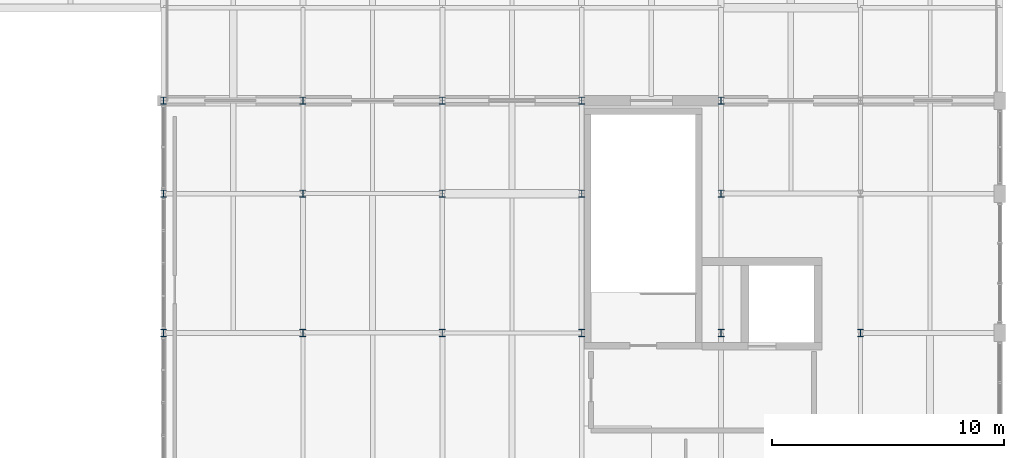
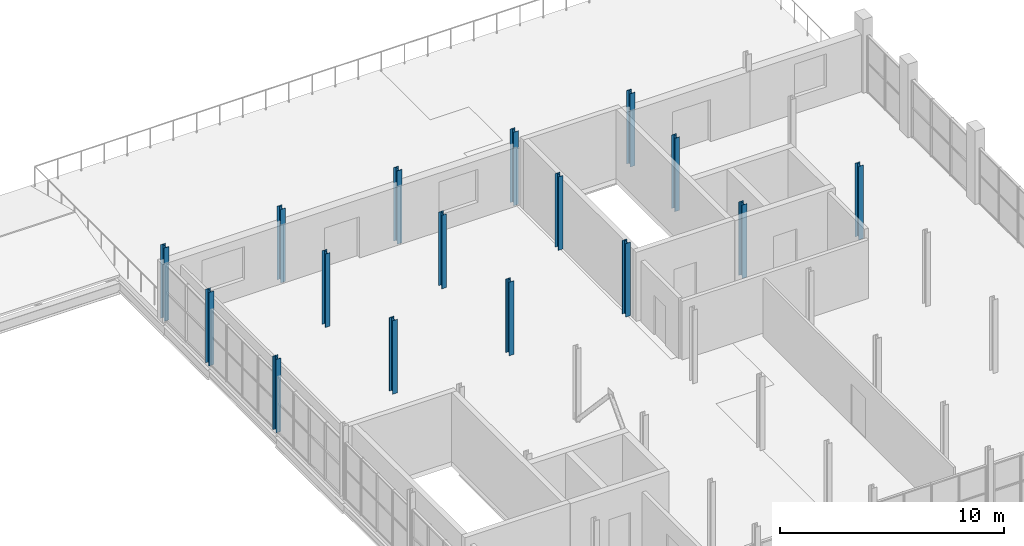
# One storey, part 15 of 96: 16 columns.
"""IFC4 building model written with IfcOpenShell, lengths in metres."""

from ifc_helpers import new_model, si_unit, direction, frame, origin, origin_2d, place, context, subcontext, project, spatial, i_section, extrude, material, material_profile, profile_set, type_object, element, save


model = new_model("IFC4")

# Units and contexts
model_context = context("Model", 3, precision=1e-05, world=origin(), true_north=direction((0.0, 1.0)))
body_context = subcontext(model_context, "Body", "Model", "MODEL_VIEW")
ifc_project = project(units=[si_unit("LENGTHUNIT", "METRE"), si_unit("AREAUNIT", "SQUARE_METRE"), si_unit("VOLUMEUNIT", "CUBIC_METRE"), si_unit("PLANEANGLEUNIT", "RADIAN"), si_unit("MASSUNIT", "GRAM", prefix="KILO")], contexts=[model_context])

# Site, building, storey
site_placement = place(None, origin())
site = spatial("IfcSite", under=ifc_project, at=site_placement, CompositionType="ELEMENT")
building_placement = place(site_placement, origin())
building = spatial("IfcBuilding", under=site, at=building_placement, Name="Verrall Gate Interchange", CompositionType="ELEMENT")
storey_placement = place(building_placement, frame((0.0, 0.0, 11.39990234375)))
storey = spatial("IfcBuildingStorey", under=building, at=storey_placement, Name="L03", CompositionType="ELEMENT", Elevation=11.39990234375)

# Columns
ifc_material = material(Name="Structural Steel CSA G40.21 350W", Category="steel")
ifc_material_profile = material_profile(ifc_material, i_section(OverallWidth=0.25390625, OverallDepth=0.305908203125, WebThickness=0.0087890625, FlangeThickness=0.0146484375, FilletRadius=0.012939453125, at=origin_2d()), Name="W310x79")
ifc_profile_set = profile_set([ifc_material_profile], Name="Structural Steel CSA G40.21 350W")
column_type = type_object("IfcColumnType", Name="C-10 Column W310x79", PredefinedType="COLUMN", material=ifc_profile_set)
for number, where, z_axis, x_axis, name in (
    (1, (132.0, 34.0, 0.0), (0.0, 0.0, 1.0), (1.0, 0.0, 0.0), "L03 Column COL-L03-1234 (C-10)"),
    (2, (132.0, 40.0, 0.0), (0.0, 0.0, 1.0), (1.0, 0.0, 0.0), "L03 Column COL-L03-1239 (C-10)"),
    (3, (132.0, 44.0, 0.0), (0.0, 0.0, 1.0), (1.0, 0.0, 0.0), "L03 Column COL-L03-1244 (C-10)"),
    (4, (138.0, 34.0, 0.0), (0.0, 0.0, 1.0), (1.0, 0.0, 0.0), "L03 Column COL-L03-1277 (C-10)"),
    (5, (138.0, 40.0, 0.0), (0.0, 0.0, 1.0), (1.0, 0.0, 0.0), "L03 Column COL-L03-1282 (C-10)"),
    (6, (138.0, 44.0, 0.0), (0.0, 0.0, 1.0), (1.0, 0.0, 0.0), "L03 Column COL-L03-1287 (C-10)"),
    (7, (144.0, 34.0, 0.0), (0.0, 0.0, 1.0), (1.0, 0.0, 0.0), "L03 Column COL-L03-1320 (C-10)"),
    (8, (144.0, 40.0, 0.0), (0.0, 0.0, 1.0), (1.0, 0.0, 0.0), "L03 Column COL-L03-1325 (C-10)"),
    (9, (144.0, 44.0, 0.0), (0.0, 0.0, 1.0), (1.0, 0.0, 0.0), "L03 Column COL-L03-1330 (C-10)"),
    (10, (150.0, 34.0, 0.0), (0.0, 0.0, 1.0), (1.0, 0.0, 0.0), "L03 Column COL-L03-1363 (C-10)"),
    (11, (150.0, 40.0, 0.0), (0.0, 0.0, 1.0), (1.0, 0.0, 0.0), "L03 Column COL-L03-1368 (C-10)"),
    (12, (150.0, 44.0, 0.0), (0.0, 0.0, 1.0), (1.0, 0.0, 0.0), "L03 Column COL-L03-1373 (C-10)"),
    (13, (156.0, 34.0, 0.0), (0.0, 0.0, 1.0), (1.0, 0.0, 0.0), "L03 Column COL-L03-1406 (C-10)"),
    (14, (156.0, 40.0, 0.0), (0.0, 0.0, 1.0), (1.0, 0.0, 0.0), "L03 Column COL-L03-1411 (C-10)"),
    (15, (156.0, 44.0, 0.0), (0.0, 0.0, 1.0), (1.0, 0.0, 0.0), "L03 Column COL-L03-1416 (C-10)"),
    (16, (162.0, 34.0, 0.0), (0.0, 0.0, 1.0), (1.0, 0.0, 0.0), "L03 Column COL-L03-1449 (C-10)"),
):
    element("IfcColumn", number, at=place(storey_placement, frame(where, z_axis=z_axis, x_axis=x_axis)), inside=storey, type_object=column_type, Name=name, PredefinedType="COLUMN", context=body_context, shape_type="SweptSolid", body=[
        extrude(i_section(OverallWidth=0.25390625, OverallDepth=0.305908203125, WebThickness=0.0087890625, FlangeThickness=0.0146484375, FilletRadius=0.012939453125, at=origin_2d()), origin(), (0.0, 0.0, 1.0), 4.0),
    ])

save(model, "model.ifc")
